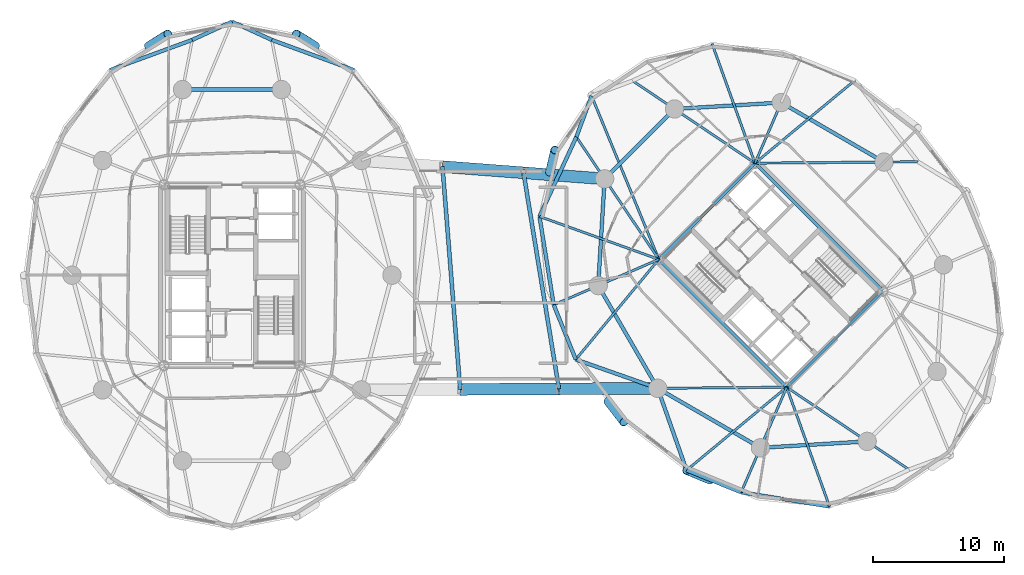
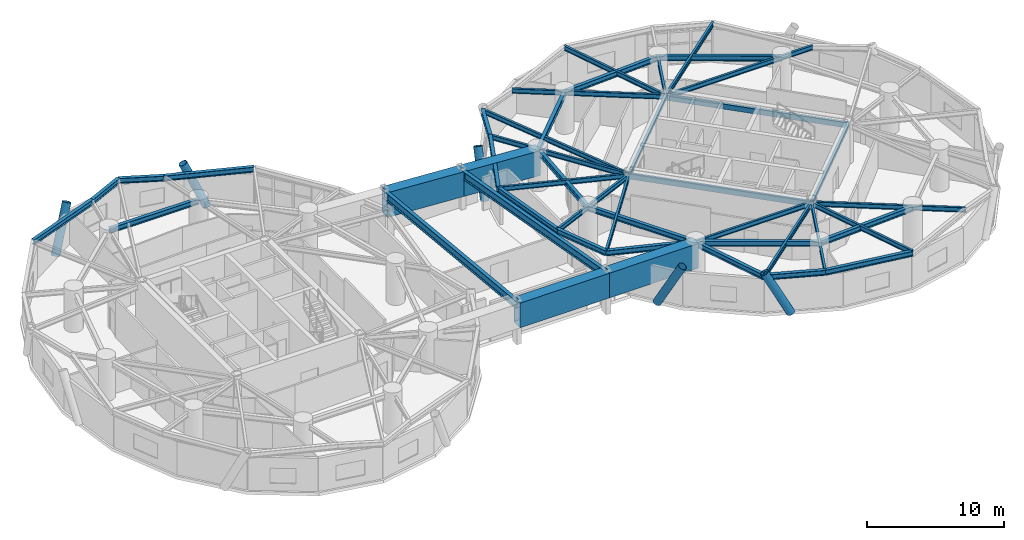
# One storey, part 4 of 17: 45 beams, 5 members.
"""IFC4 building model written with IfcOpenShell, lengths in metres."""

from ifc_helpers import new_model, si_unit, direction, frame, origin, origin_2d, place, context, subcontext, project, spatial, hollow_rectangle, hollow_circle, i_section, extrude, material, material_profile, profile_set, type_object, element, save


model = new_model("IFC4")

# Units and contexts
model_context = context("Model", 3, precision=1e-05, world=origin(), true_north=direction((0.0, 1.0)))
body_context = subcontext(model_context, "Body", "Model", "MODEL_VIEW")
ifc_project = project(units=[si_unit("LENGTHUNIT", "METRE"), si_unit("AREAUNIT", "SQUARE_METRE"), si_unit("VOLUMEUNIT", "CUBIC_METRE"), si_unit("PLANEANGLEUNIT", "RADIAN"), si_unit("MASSUNIT", "GRAM", prefix="KILO")], contexts=[model_context])

# Site, building, storey
site_placement = place(None, origin())
site = spatial("IfcSite", under=ifc_project, at=site_placement, CompositionType="ELEMENT")
building_placement = place(site_placement, origin())
building = spatial("IfcBuilding", under=site, at=building_placement, Name="Cununo Teusaquillo Station Towers", CompositionType="ELEMENT")
storey_placement = place(building_placement, frame((0.0, 0.0, 125.43994140625)))
storey = spatial("IfcBuildingStorey", under=building, at=storey_placement, Name="L40", CompositionType="ELEMENT", Elevation=125.43994140625)

# Beams
ifc_material_1 = material(Name="Steel EN 10025-2 S355J2", Category="steel")
ifc_material_profile_1 = material_profile(ifc_material_1, i_section(OverallWidth=0.300048828125, OverallDepth=0.699951171875, WebThickness=0.01708984375, FlangeThickness=0.031982421875, FilletRadius=0.027099609375, at=origin_2d()), Name="HEB 700")
ifc_profile_set_1 = profile_set([ifc_material_profile_1], Name="Steel EN 10025-2 S355J2")
beam_type_1 = type_object("IfcBeamType", Name="BM-BRG-FLR", PredefinedType="BEAM", material=ifc_profile_set_1)
beam_1_placement = place(storey_placement, frame((33.862548828125, 15.81201171875, 3.090087890625), z_axis=(-0.079188777853, 0.996859637794, 0.0), x_axis=(-0.996859637794, -0.079188777853, 0.0)))
element("IfcBeam", 1, at=beam_1_placement, inside=storey, type_object=beam_type_1, Name="L40 Mid-Bridge Transverse Floor Girder 1", PredefinedType="BEAM", context=body_context, shape_type="SweptSolid", body=[
    extrude(i_section(OverallWidth=0.300048828125, OverallDepth=0.699951171875, WebThickness=0.01708984375, FlangeThickness=0.031982421875, FilletRadius=0.027099609375, at=origin_2d()), origin(), (0.0, 0.0, 1.0), 17.0029296875),
])
beam_2_placement = place(storey_placement, frame((41.377685546875, 15.8525390625, 3.090087890625), z_axis=(-0.161629984279, 0.986851431666, 0.0), x_axis=(-0.986851431666, -0.161629984279, 0.0)))
element("IfcBeam", 2, at=beam_2_placement, inside=storey, type_object=beam_type_1, Name="L40 Mid-Bridge Transverse Floor Girder 2", PredefinedType="BEAM", context=body_context, shape_type="SweptSolid", body=[
    extrude(i_section(OverallWidth=0.300048828125, OverallDepth=0.699951171875, WebThickness=0.01708984375, FlangeThickness=0.031982421875, FilletRadius=0.027099609375, at=origin_2d()), origin(), (0.0, 0.0, 1.0), 16.66064453125),
])
ifc_material_2 = material(Name="Steel EN 10025-2 S355J2", Category="steel")
ifc_material_profile_2 = material_profile(ifc_material_2, hollow_rectangle(XDim=0.25, YDim=0.449951171875, WallThickness=0.01611328125, at=origin_2d()), Name="RHS 450x250x16")
ifc_profile_set_2 = profile_set([ifc_material_profile_2], Name="Steel EN 10025-2 S355J2")
beam_type_2 = type_object("IfcBeamType", Name="BM-COUP-1", PredefinedType="USERDEFINED", material=ifc_profile_set_2)
for number, where, z_axis, x_axis, name in (
    (3, (58.70556640625, 15.975830078125, 3.215087890625), (-0.707106781187, 0.707106781187, 0.0), (-0.707106781187, -0.707106781187, 0.0), "L40 Tower B Core Beam 1"),
    (4, (66.024169921875, 23.29443359375, 3.215087890625), (-0.707106781187, 0.707106781187, 0.0), (-0.707106781187, -0.707106781187, 0.0), "L40 Tower B Core Beam 2"),
):
    element("IfcBeam", number, at=place(storey_placement, frame(where, z_axis=z_axis, x_axis=x_axis)), inside=storey, type_object=beam_type_2, Name=name, ObjectType="COUPLING BEAM", PredefinedType="USERDEFINED", context=body_context, shape_type="SweptSolid", body=[
        extrude(hollow_rectangle(XDim=0.25, YDim=0.449951171875, WallThickness=0.01611328125, at=origin_2d()), origin(), (0.0, 0.0, 1.0), 13.760009765625),
    ])
ifc_material_3 = material(Name="Steel ASTM A572 Grade 50", Category="steel")
ifc_material_profile_3 = material_profile(ifc_material_3, i_section(OverallWidth=0.180908203125, OverallDepth=0.4169921875, WebThickness=0.010986328125, FlangeThickness=0.018310546875, FilletRadius=0.012939453125, at=origin_2d()), Name="W16X57")
ifc_profile_set_3 = profile_set([ifc_material_profile_3], Name="Steel ASTM A572 Grade 50")
beam_type_3 = type_object("IfcBeamType", Name="BM-JOIST-1", PredefinedType="JOIST", material=ifc_profile_set_3)
beam_3_placement = place(storey_placement, frame((56.29443359375, 33.024169921875, 3.2314453125), z_axis=(0.769727799615, 0.638372238196, 0.0), x_axis=(-0.638372238196, 0.769727799615, 0.0)))
element("IfcBeam", 5, at=beam_3_placement, inside=storey, type_object=beam_type_3, Name="L40 Tower B Radial Spandrel Joist V01", PredefinedType="JOIST", context=body_context, shape_type="SweptSolid", body=[
    extrude(i_section(OverallWidth=0.180908203125, OverallDepth=0.4169921875, WebThickness=0.010986328125, FlangeThickness=0.018310546875, FilletRadius=0.012939453125, at=origin_2d()), origin(), (0.0, 0.0, 1.0), 9.895263671875),
])
beam_4_placement = place(storey_placement, frame((56.29443359375, 33.024169921875, 3.2314453125), z_axis=(-0.338176312038, 0.941082771055, 0.0), x_axis=(-0.941082771055, -0.338176312038, 0.0)))
element("IfcBeam", 6, at=beam_4_placement, inside=storey, type_object=beam_type_3, Name="L40 Tower B Radial Spandrel Joist V03", PredefinedType="JOIST", context=body_context, shape_type="SweptSolid", body=[
    extrude(i_section(OverallWidth=0.180908203125, OverallDepth=0.4169921875, WebThickness=0.010986328125, FlangeThickness=0.018310546875, FilletRadius=0.012939453125, at=origin_2d()), origin(), (0.0, 0.0, 1.0), 9.646484375),
])
beam_5_placement = place(storey_placement, frame((48.975830078125, 25.70556640625, 3.2314453125), z_axis=(-0.380485864505, 0.924786735908, 0.0), x_axis=(-0.924786735908, -0.380485864505, 0.0)))
element("IfcBeam", 7, at=beam_5_placement, inside=storey, type_object=beam_type_3, Name="L40 Tower B Radial Spandrel Joist V05", PredefinedType="JOIST", context=body_context, shape_type="SweptSolid", body=[
    extrude(i_section(OverallWidth=0.180908203125, OverallDepth=0.4169921875, WebThickness=0.010986328125, FlangeThickness=0.018310546875, FilletRadius=0.012939453125, at=origin_2d()), origin(), (0.0, 0.0, 1.0), 13.44580078125),
])
beam_6_placement = place(storey_placement, frame((48.975830078125, 25.70556640625, 3.2314453125), z_axis=(-0.941082771055, 0.338176312038, 0.0), x_axis=(-0.338176312038, -0.941082771055, 0.0)))
element("IfcBeam", 8, at=beam_6_placement, inside=storey, type_object=beam_type_3, Name="L40 Tower B Radial Spandrel Joist V07", PredefinedType="JOIST", context=body_context, shape_type="SweptSolid", body=[
    extrude(i_section(OverallWidth=0.180908203125, OverallDepth=0.4169921875, WebThickness=0.010986328125, FlangeThickness=0.018310546875, FilletRadius=0.012939453125, at=origin_2d()), origin(), (0.0, 0.0, 1.0), 9.646484375),
])
for number, where, z_axis, x_axis, name in (
    (9, (48.975830078125, 25.70556640625, 3.2314453125), (-0.638372238196, -0.769727799615, 0.0), (0.769727799615, -0.638372238196, 0.0), "L40 Tower B Radial Spandrel Joist V09"),
    (10, (58.70556640625, 15.975830078125, 3.2314453125), (-0.769727799615, -0.638372238196, 0.0), (0.638372238196, -0.769727799615, 0.0), "L40 Tower B Radial Spandrel Joist V11"),
):
    element("IfcBeam", number, at=place(storey_placement, frame(where, z_axis=z_axis, x_axis=x_axis)), inside=storey, type_object=beam_type_3, Name=name, PredefinedType="JOIST", context=body_context, shape_type="SweptSolid", body=[
        extrude(i_section(OverallWidth=0.180908203125, OverallDepth=0.4169921875, WebThickness=0.010986328125, FlangeThickness=0.018310546875, FilletRadius=0.012939453125, at=origin_2d()), origin(), (0.0, 0.0, 1.0), 9.895263671875),
    ])
beam_7_placement = place(storey_placement, frame((58.70556640625, 15.975830078125, 3.2314453125), z_axis=(0.338176312038, -0.941082771055, 0.0), x_axis=(0.941082771055, 0.338176312038, 0.0)))
element("IfcBeam", 11, at=beam_7_placement, inside=storey, type_object=beam_type_3, Name="L40 Tower B Radial Spandrel Joist V13", PredefinedType="JOIST", context=body_context, shape_type="SweptSolid", body=[
    extrude(i_section(OverallWidth=0.180908203125, OverallDepth=0.4169921875, WebThickness=0.010986328125, FlangeThickness=0.018310546875, FilletRadius=0.012939453125, at=origin_2d()), origin(), (0.0, 0.0, 1.0), 9.646484375),
])
ifc_material_4 = material(Name="Steel ASTM A572 Grade 50", Category="steel")
ifc_material_profile_4 = material_profile(ifc_material_4, i_section(OverallWidth=0.2041015625, OverallDepth=0.35009765625, WebThickness=0.008544921875, FlangeThickness=0.01513671875, FilletRadius=0.011962890625, at=origin_2d()), Name="W14X48")
ifc_profile_set_4 = profile_set([ifc_material_profile_4], Name="Steel ASTM A572 Grade 50")
beam_type_4 = type_object("IfcBeamType", Name="BM-LINTEL-1", PredefinedType="LINTEL", material=ifc_profile_set_4)
for number, where, z_axis, x_axis, name in (
    (12, (58.70556640625, 15.975830078125, 3.26513671875), (0.707106781187, 0.707106781187, 0.0), (-0.707106781187, 0.707106781187, 0.0), "L40 Tower B Core Beam 3"),
    (13, (48.975830078125, 25.70556640625, 3.26513671875), (0.707106781187, 0.707106781187, 0.0), (-0.707106781187, 0.707106781187, 0.0), "L40 Tower B Core Beam 4"),
):
    element("IfcBeam", number, at=place(storey_placement, frame(where, z_axis=z_axis, x_axis=x_axis)), inside=storey, type_object=beam_type_4, Name=name, PredefinedType="LINTEL", context=body_context, shape_type="SweptSolid", body=[
        extrude(i_section(OverallWidth=0.2041015625, OverallDepth=0.35009765625, WebThickness=0.008544921875, FlangeThickness=0.01513671875, FilletRadius=0.011962890625, at=origin_2d()), origin(), (0.0, 0.0, 1.0), 10.35009765625),
    ])
ifc_material_5 = material(Name="Steel ASTM A572 Grade 50", Category="steel")
ifc_material_profile_5 = material_profile(ifc_material_5, i_section(OverallWidth=0.180908203125, OverallDepth=0.4169921875, WebThickness=0.010986328125, FlangeThickness=0.018310546875, FilletRadius=0.012939453125, at=origin_2d()), Name="W16X57")
ifc_profile_set_5 = profile_set([ifc_material_profile_5], Name="Steel ASTM A572 Grade 50")
beam_type_5 = type_object("IfcBeamType", Name="BM-RAD-G2", PredefinedType="BEAM", material=ifc_profile_set_5)
beam_8_placement = place(storey_placement, frame((56.29443359375, 33.024169921875, 3.2314453125), z_axis=(0.999964331255, 0.008446077024, 0.0), x_axis=(-0.008446077024, 0.999964331255, 0.0)))
element("IfcBeam", 14, at=beam_8_placement, inside=storey, type_object=beam_type_5, Name="L40 Tower B Continuous Overhanging Radial Girder 01", PredefinedType="BEAM", context=body_context, shape_type="SweptSolid", body=[
    extrude(i_section(OverallWidth=0.180908203125, OverallDepth=0.4169921875, WebThickness=0.010986328125, FlangeThickness=0.018310546875, FilletRadius=0.012939453125, at=origin_2d()), origin(), (0.0, 0.0, 1.0), 12.400634765625),
])
beam_9_placement = place(storey_placement, frame((56.29443359375, 33.024169921875, 3.2314453125), z_axis=(0.397346986387, 0.917668443616, 0.0), x_axis=(-0.917668443616, 0.397346986387, 0.0)))
element("IfcBeam", 15, at=beam_9_placement, inside=storey, type_object=beam_type_5, Name="L40 Tower B Radial Girder 02A", PredefinedType="BEAM", context=body_context, shape_type="SweptSolid", body=[
    extrude(i_section(OverallWidth=0.180908203125, OverallDepth=0.4169921875, WebThickness=0.010986328125, FlangeThickness=0.018310546875, FilletRadius=0.012939453125, at=origin_2d()), origin(), (0.0, 0.0, 1.0), 5.02490234375),
])
for number, where, z_axis, x_axis, name in (
    (16, (56.29443359375, 33.024169921875, 3.2314453125), (-0.82945583878, 0.558572297481, 0.0), (-0.558572297481, -0.82945583878, 0.0), "L40 Tower B Continuous Overhanging Radial Girder 03"),
    (17, (48.975830078125, 25.70556640625, 3.2314453125), (-0.558572297481, 0.82945583878, 0.0), (-0.82945583878, -0.558572297481, 0.0), "L40 Tower B Continuous Overhanging Radial Girder 04"),
):
    element("IfcBeam", number, at=place(storey_placement, frame(where, z_axis=z_axis, x_axis=x_axis)), inside=storey, type_object=beam_type_5, Name=name, PredefinedType="BEAM", context=body_context, shape_type="SweptSolid", body=[
        extrude(i_section(OverallWidth=0.180908203125, OverallDepth=0.4169921875, WebThickness=0.010986328125, FlangeThickness=0.018310546875, FilletRadius=0.012939453125, at=origin_2d()), origin(), (0.0, 0.0, 1.0), 11.22998046875),
    ])
beam_10_placement = place(storey_placement, frame((48.975830078125, 25.70556640625, 3.2314453125), z_axis=(-0.917654733344, -0.397378648609, 0.0), x_axis=(0.397378648609, -0.917654733344, 0.0)))
element("IfcBeam", 18, at=beam_10_placement, inside=storey, type_object=beam_type_5, Name="L40 Tower B Continuous Overhanging Radial Girder 05", PredefinedType="BEAM", context=body_context, shape_type="SweptSolid", body=[
    extrude(i_section(OverallWidth=0.180908203125, OverallDepth=0.4169921875, WebThickness=0.010986328125, FlangeThickness=0.018310546875, FilletRadius=0.012939453125, at=origin_2d()), origin(), (0.0, 0.0, 1.0), 8.71484375),
])
beam_11_placement = place(storey_placement, frame((58.70556640625, 15.975830078125, 3.2314453125), z_axis=(-0.999964431382, -0.008434214327, 0.0), x_axis=(0.008434214327, -0.999964431382, 0.0)))
element("IfcBeam", 19, at=beam_11_placement, inside=storey, type_object=beam_type_5, Name="L40 Tower B Radial Girder 06A", PredefinedType="BEAM", context=body_context, shape_type="SweptSolid", body=[
    extrude(i_section(OverallWidth=0.180908203125, OverallDepth=0.4169921875, WebThickness=0.010986328125, FlangeThickness=0.018310546875, FilletRadius=0.012939453125, at=origin_2d()), origin(), (0.0, 0.0, 1.0), 9.812744140625),
])
beam_12_placement = place(storey_placement, frame((58.70556640625, 15.975830078125, 3.2314453125), z_axis=(-0.397378648609, -0.917654733344, 0.0), x_axis=(0.917654733344, -0.397378648609, 0.0)))
element("IfcBeam", 20, at=beam_12_placement, inside=storey, type_object=beam_type_5, Name="L40 Tower B Continuous Overhanging Radial Girder 07", PredefinedType="BEAM", context=body_context, shape_type="SweptSolid", body=[
    extrude(i_section(OverallWidth=0.180908203125, OverallDepth=0.4169921875, WebThickness=0.010986328125, FlangeThickness=0.018310546875, FilletRadius=0.012939453125, at=origin_2d()), origin(), (0.0, 0.0, 1.0), 8.71484375),
])
beam_13_placement = place(storey_placement, frame((58.70556640625, 15.975830078125, 3.2314453125), z_axis=(0.82945583878, -0.558572297481, 0.0), x_axis=(0.558572297481, 0.82945583878, 0.0)))
element("IfcBeam", 21, at=beam_13_placement, inside=storey, type_object=beam_type_5, Name="L40 Tower B Continuous Overhanging Radial Girder 08", PredefinedType="BEAM", context=body_context, shape_type="SweptSolid", body=[
    extrude(i_section(OverallWidth=0.180908203125, OverallDepth=0.4169921875, WebThickness=0.010986328125, FlangeThickness=0.018310546875, FilletRadius=0.012939453125, at=origin_2d()), origin(), (0.0, 0.0, 1.0), 11.22998046875),
])
ifc_material_6 = material(Name="Steel ASTM A572 Grade 50", Category="steel")
ifc_material_profile_6 = material_profile(ifc_material_6, i_section(OverallWidth=0.280029296875, OverallDepth=0.462890625, WebThickness=0.0107421875, FlangeThickness=0.017333984375, FilletRadius=0.013916015625, at=origin_2d()), Name="W18X76")
ifc_profile_set_6 = profile_set([ifc_material_profile_6], Name="Steel ASTM A572 Grade 50")
beam_type_6 = type_object("IfcBeamType", Name="BM-RING-Z2", PredefinedType="SPANDREL", material=ifc_profile_set_6)
beam_14_placement = place(storey_placement, frame((20.261474609375, 38.623291015625, 3.20849609375), z_axis=(-1.0, 0.0, 0.0), x_axis=(0.0, -1.0, 0.0)))
element("IfcBeam", 22, at=beam_14_placement, inside=storey, type_object=beam_type_6, Name="L40 Tower A Structural Column Ring Girder 03", PredefinedType="SPANDREL", context=body_context, shape_type="SweptSolid", body=[
    extrude(i_section(OverallWidth=0.280029296875, OverallDepth=0.462890625, WebThickness=0.0107421875, FlangeThickness=0.017333984375, FilletRadius=0.013916015625, at=origin_2d()), origin(), (0.0, 0.0, 1.0), 7.52294921875),
])
beam_15_placement = place(storey_placement, frame((25.78759765625, 40.10595703125, 3.20849609375), z_axis=(-0.938914161016, 0.34415141761, 0.0), x_axis=(-0.34415141761, -0.938914161016, 0.0)))
element("IfcBeam", 23, at=beam_15_placement, inside=storey, type_object=beam_type_6, Name="L40 Tower A Spandrel Ring Beam 04", PredefinedType="SPANDREL", context=body_context, shape_type="SweptSolid", body=[
    extrude(i_section(OverallWidth=0.280029296875, OverallDepth=0.462890625, WebThickness=0.0107421875, FlangeThickness=0.017333984375, FilletRadius=0.013916015625, at=origin_2d()), origin(), (0.0, 0.0, 1.0), 6.671142578125),
])
for number, where, z_axis, x_axis, name in (
    (24, (19.52392578125, 42.40185546875, 3.20849609375), (-0.908812215281, 0.417205413862, 0.0), (-0.417205413862, -0.908812215281, 0.0), "L40 Tower A Spandrel Ring Beam 05"),
    (25, (16.5, 43.7900390625, 3.20849609375), (-0.908812215281, -0.417205413862, 0.0), (0.417205413862, -0.908812215281, 0.0), "L40 Tower A Spandrel Ring Beam 06"),
):
    element("IfcBeam", number, at=place(storey_placement, frame(where, z_axis=z_axis, x_axis=x_axis)), inside=storey, type_object=beam_type_6, Name=name, PredefinedType="SPANDREL", context=body_context, shape_type="SweptSolid", body=[
        extrude(i_section(OverallWidth=0.280029296875, OverallDepth=0.462890625, WebThickness=0.0107421875, FlangeThickness=0.017333984375, FilletRadius=0.013916015625, at=origin_2d()), origin(), (0.0, 0.0, 1.0), 3.327392578125),
    ])
beam_16_placement = place(storey_placement, frame((13.47607421875, 42.40185546875, 3.20849609375), z_axis=(-0.938914161016, -0.34415141761, 0.0), x_axis=(0.34415141761, -0.938914161016, 0.0)))
element("IfcBeam", 26, at=beam_16_placement, inside=storey, type_object=beam_type_6, Name="L40 Tower A Spandrel Ring Beam 07", PredefinedType="SPANDREL", context=body_context, shape_type="SweptSolid", body=[
    extrude(i_section(OverallWidth=0.280029296875, OverallDepth=0.462890625, WebThickness=0.0107421875, FlangeThickness=0.017333984375, FilletRadius=0.013916015625, at=origin_2d()), origin(), (0.0, 0.0, 1.0), 6.671142578125),
])
beam_17_placement = place(storey_placement, frame((66.10693359375, 33.10693359375, 3.20849609375), z_axis=(-0.865267103202, 0.501311121078, 0.0), x_axis=(-0.501311121078, -0.865267103202, 0.0)))
element("IfcBeam", 27, at=beam_17_placement, inside=storey, type_object=beam_type_6, Name="L40 Tower B Structural Column Ring Girder 01", PredefinedType="SPANDREL", context=body_context, shape_type="SweptSolid", body=[
    extrude(i_section(OverallWidth=0.280029296875, OverallDepth=0.462890625, WebThickness=0.0107421875, FlangeThickness=0.017333984375, FilletRadius=0.013916015625, at=origin_2d()), origin(), (0.0, 0.0, 1.0), 9.032958984375),
])
beam_18_placement = place(storey_placement, frame((58.291015625, 37.63525390625, 3.20849609375), z_axis=(-0.998190567048, -0.06012979176, 0.0), x_axis=(0.06012979176, -0.998190567048, 0.0)))
element("IfcBeam", 28, at=beam_18_placement, inside=storey, type_object=beam_type_6, Name="L40 Tower B Structural Column Ring Girder 02", PredefinedType="SPANDREL", context=body_context, shape_type="SweptSolid", body=[
    extrude(i_section(OverallWidth=0.280029296875, OverallDepth=0.462890625, WebThickness=0.0107421875, FlangeThickness=0.017333984375, FilletRadius=0.013916015625, at=origin_2d()), origin(), (0.0, 0.0, 1.0), 8.132568359375),
])
beam_19_placement = place(storey_placement, frame((50.173095703125, 37.146240234375, 3.20849609375), z_axis=(-0.707106781187, -0.707106781187, 0.0), x_axis=(0.707106781187, -0.707106781187, 0.0)))
element("IfcBeam", 29, at=beam_19_placement, inside=storey, type_object=beam_type_6, Name="L40 Tower B Structural Column Ring Girder 03", PredefinedType="SPANDREL", context=body_context, shape_type="SweptSolid", body=[
    extrude(i_section(OverallWidth=0.280029296875, OverallDepth=0.462890625, WebThickness=0.0107421875, FlangeThickness=0.017333984375, FilletRadius=0.013916015625, at=origin_2d()), origin(), (0.0, 0.0, 1.0), 7.522705078125),
])
beam_20_placement = place(storey_placement, frame((44.853759765625, 31.826904296875, 3.20849609375), z_axis=(-0.06012979176, -0.998190567048, 0.0), x_axis=(0.998190567048, -0.06012979176, 0.0)))
element("IfcBeam", 30, at=beam_20_placement, inside=storey, type_object=beam_type_6, Name="L40 Tower B Structural Column Ring Girder 04", PredefinedType="SPANDREL", context=body_context, shape_type="SweptSolid", body=[
    extrude(i_section(OverallWidth=0.280029296875, OverallDepth=0.462890625, WebThickness=0.0107421875, FlangeThickness=0.017333984375, FilletRadius=0.013916015625, at=origin_2d()), origin(), (0.0, 0.0, 1.0), 8.132568359375),
])
for number, where, z_axis, x_axis, name in (
    (31, (44.36474609375, 23.708984375, 3.20849609375), (0.501311121078, -0.865267103202, 0.0), (0.865267103202, 0.501311121078, 0.0), "L40 Tower B Structural Column Ring Girder 05"),
    (32, (48.89306640625, 15.89306640625, 3.20849609375), (0.865267103202, -0.501311121078, 0.0), (0.501311121078, 0.865267103202, 0.0), "L40 Tower B Structural Column Ring Girder 06"),
):
    element("IfcBeam", number, at=place(storey_placement, frame(where, z_axis=z_axis, x_axis=x_axis)), inside=storey, type_object=beam_type_6, Name=name, PredefinedType="SPANDREL", context=body_context, shape_type="SweptSolid", body=[
        extrude(i_section(OverallWidth=0.280029296875, OverallDepth=0.462890625, WebThickness=0.0107421875, FlangeThickness=0.017333984375, FilletRadius=0.013916015625, at=origin_2d()), origin(), (0.0, 0.0, 1.0), 9.032958984375),
    ])
beam_21_placement = place(storey_placement, frame((56.708984375, 11.36474609375, 3.20849609375), z_axis=(0.998190567048, 0.06012979176, 0.0), x_axis=(-0.06012979176, 0.998190567048, 0.0)))
element("IfcBeam", 33, at=beam_21_placement, inside=storey, type_object=beam_type_6, Name="L40 Tower B Structural Column Ring Girder 07", PredefinedType="SPANDREL", context=body_context, shape_type="SweptSolid", body=[
    extrude(i_section(OverallWidth=0.280029296875, OverallDepth=0.462890625, WebThickness=0.0107421875, FlangeThickness=0.017333984375, FilletRadius=0.013916015625, at=origin_2d()), origin(), (0.0, 0.0, 1.0), 8.132568359375),
])
beam_22_placement = place(storey_placement, frame((43.85986328125, 38.14013671875, 3.20849609375), z_axis=(-0.347639333943, -0.937628334414, 0.0), x_axis=(0.937628334414, -0.347639333943, 0.0)))
element("IfcBeam", 34, at=beam_22_placement, inside=storey, type_object=beam_type_6, Name="L40 Tower B Spandrel Ring Beam 06", PredefinedType="SPANDREL", context=body_context, shape_type="SweptSolid", body=[
    extrude(i_section(OverallWidth=0.280029296875, OverallDepth=0.462890625, WebThickness=0.0107421875, FlangeThickness=0.017333984375, FilletRadius=0.013916015625, at=origin_2d()), origin(), (0.0, 0.0, 1.0), 3.327392578125),
])
beam_23_placement = place(storey_placement, frame((42.703125, 35.020263671875, 3.20849609375), z_axis=(-0.420535961689, -0.907275870354, 0.0), x_axis=(0.907275870354, -0.420535961689, 0.0)))
element("IfcBeam", 35, at=beam_23_placement, inside=storey, type_object=beam_type_6, Name="L40 Tower B Spandrel Ring Beam 07", PredefinedType="SPANDREL", context=body_context, shape_type="SweptSolid", body=[
    extrude(i_section(OverallWidth=0.280029296875, OverallDepth=0.462890625, WebThickness=0.0107421875, FlangeThickness=0.017333984375, FilletRadius=0.013916015625, at=origin_2d()), origin(), (0.0, 0.0, 1.0), 6.671142578125),
])
beam_24_placement = place(storey_placement, frame((39.897705078125, 28.9677734375, 3.20849609375), z_axis=(0.158671232312, -0.987331474246, 0.0), x_axis=(0.987331474246, 0.158671232312, 0.0)))
element("IfcBeam", 36, at=beam_24_placement, inside=storey, type_object=beam_type_6, Name="L40 Tower B Spandrel Ring Beam 08", PredefinedType="SPANDREL", context=body_context, shape_type="SweptSolid", body=[
    extrude(i_section(OverallWidth=0.280029296875, OverallDepth=0.462890625, WebThickness=0.0107421875, FlangeThickness=0.017333984375, FilletRadius=0.013916015625, at=origin_2d()), origin(), (0.0, 0.0, 1.0), 6.8115234375),
])
beam_25_placement = place(storey_placement, frame((40.978515625, 22.242431640625, 3.20849609375), z_axis=(0.375042266631, -0.927007712072, 0.0), x_axis=(0.927007712072, 0.375042266631, 0.0)))
element("IfcBeam", 37, at=beam_25_placement, inside=storey, type_object=beam_type_6, Name="L40 Tower B Spandrel Ring Beam 09", PredefinedType="SPANDREL", context=body_context, shape_type="SweptSolid", body=[
    extrude(i_section(OverallWidth=0.280029296875, OverallDepth=0.462890625, WebThickness=0.0107421875, FlangeThickness=0.017333984375, FilletRadius=0.013916015625, at=origin_2d()), origin(), (0.0, 0.0, 1.0), 4.480712890625),
])
for number, where, z_axis, x_axis, name in (
    (38, (42.658935546875, 18.0888671875, 3.20849609375), (0.943202901767, -0.332217227276, 0.0), (0.332217227276, 0.943202901767, 0.0), "L40 Tower B Spandrel Ring Beam 10"),
    (39, (48.89306640625, 15.89306640625, 3.20849609375), (0.332217227276, -0.943202901767, 0.0), (0.943202901767, 0.332217227276, 0.0), "L40 Tower B Spandrel Ring Beam 11"),
):
    element("IfcBeam", number, at=place(storey_placement, frame(where, z_axis=z_axis, x_axis=x_axis)), inside=storey, type_object=beam_type_6, Name=name, PredefinedType="SPANDREL", context=body_context, shape_type="SweptSolid", body=[
        extrude(i_section(OverallWidth=0.280029296875, OverallDepth=0.462890625, WebThickness=0.0107421875, FlangeThickness=0.017333984375, FilletRadius=0.013916015625, at=origin_2d()), origin(), (0.0, 0.0, 1.0), 6.609619140625),
    ])
beam_26_placement = place(storey_placement, frame((51.0888671875, 9.658935546875, 3.20849609375), z_axis=(0.927007712072, -0.375042266631, 0.0), x_axis=(0.375042266631, 0.927007712072, 0.0)))
element("IfcBeam", 40, at=beam_26_placement, inside=storey, type_object=beam_type_6, Name="L40 Tower B Spandrel Ring Beam 12", PredefinedType="SPANDREL", context=body_context, shape_type="SweptSolid", body=[
    extrude(i_section(OverallWidth=0.280029296875, OverallDepth=0.462890625, WebThickness=0.0107421875, FlangeThickness=0.017333984375, FilletRadius=0.013916015625, at=origin_2d()), origin(), (0.0, 0.0, 1.0), 4.480712890625),
])
beam_27_placement = place(storey_placement, frame((55.242431640625, 7.978515625, 3.20849609375), z_axis=(0.987331474246, -0.158671232312, 0.0), x_axis=(0.158671232312, 0.987331474246, 0.0)))
element("IfcBeam", 41, at=beam_27_placement, inside=storey, type_object=beam_type_6, Name="L40 Tower B Spandrel Ring Beam 13", PredefinedType="SPANDREL", context=body_context, shape_type="SweptSolid", body=[
    extrude(i_section(OverallWidth=0.280029296875, OverallDepth=0.462890625, WebThickness=0.0107421875, FlangeThickness=0.017333984375, FilletRadius=0.013916015625, at=origin_2d()), origin(), (0.0, 0.0, 1.0), 6.8115234375),
])
ifc_material_7 = material(Name="Steel ASTM A572 Grade 50", Category="steel")
ifc_material_profile_7 = material_profile(ifc_material_7, hollow_rectangle(XDim=0.89990234375, YDim=2.199951171875, WallThickness=0.050048828125, at=origin_2d()), Name="BOX 2200x900x50")
ifc_profile_set_7 = profile_set([ifc_material_profile_7], Name="Steel ASTM A572 Grade 50")
beam_type_7 = type_object("IfcBeamType", Name="BM-XFER-BRG", PredefinedType="USERDEFINED", material=ifc_profile_set_7)
beam_28_placement = place(storey_placement, frame((33.862548828125, 15.81201171875, 2.340087890625), z_axis=(0.999985459376, 0.00539268359, 0.0), x_axis=(-0.00539268359, 0.999985459376, 0.0)))
element("IfcBeam", 42, at=beam_28_placement, inside=storey, type_object=beam_type_7, Name="L40 Mid-Bridge Chord S2", ObjectType="TRANSFER GIRDER", PredefinedType="USERDEFINED", context=body_context, shape_type="SweptSolid", body=[
    extrude(hollow_rectangle(XDim=0.89990234375, YDim=2.199951171875, WallThickness=0.050048828125, at=origin_2d()), origin(), (0.0, 0.0, 1.0), 7.51513671875),
])
beam_29_placement = place(storey_placement, frame((41.377685546875, 15.8525390625, 2.340087890625), z_axis=(0.999985460321, 0.005392508411, 0.0), x_axis=(-0.005392508411, 0.999985460321, 0.0)))
element("IfcBeam", 43, at=beam_29_placement, inside=storey, type_object=beam_type_7, Name="L40 Mid-Bridge Chord S3", ObjectType="TRANSFER GIRDER", PredefinedType="USERDEFINED", context=body_context, shape_type="SweptSolid", body=[
    extrude(hollow_rectangle(XDim=0.89990234375, YDim=2.199951171875, WallThickness=0.050048828125, at=origin_2d()), origin(), (0.0, 0.0, 1.0), 7.515380859375),
])
beam_30_placement = place(storey_placement, frame((32.51611328125, 32.761474609375, 2.340087890625), z_axis=(0.997143183449, -0.075534572886, 0.0), x_axis=(0.075534572886, 0.997143183449, 0.0)))
element("IfcBeam", 44, at=beam_30_placement, inside=storey, type_object=beam_type_7, Name="L40 Mid-Bridge Chord N2", ObjectType="TRANSFER GIRDER", PredefinedType="USERDEFINED", context=body_context, shape_type="SweptSolid", body=[
    extrude(hollow_rectangle(XDim=0.89990234375, YDim=2.199951171875, WallThickness=0.050048828125, at=origin_2d()), origin(), (0.0, 0.0, 1.0), 6.186279296875),
])
beam_31_placement = place(storey_placement, frame((38.684814453125, 32.294189453125, 2.340087890625), z_axis=(0.997143408598, -0.075531600604, 0.0), x_axis=(0.075531600604, 0.997143408598, 0.0)))
element("IfcBeam", 45, at=beam_31_placement, inside=storey, type_object=beam_type_7, Name="L40 Mid-Bridge Chord N3", ObjectType="TRANSFER GIRDER", PredefinedType="USERDEFINED", context=body_context, shape_type="SweptSolid", body=[
    extrude(hollow_rectangle(XDim=0.89990234375, YDim=2.199951171875, WallThickness=0.050048828125, at=origin_2d()), origin(), (0.0, 0.0, 1.0), 6.1865234375),
])

# Members
ifc_material_8 = material(Name="Steel EN 10025-2 S355J2", Category="steel")
ifc_material_profile_8 = material_profile(ifc_material_8, hollow_circle(Radius=0.330078125, WallThickness=0.02490234375, at=origin_2d()), Name="CHS 660x25")
ifc_profile_set_8 = profile_set([ifc_material_profile_8], Name="Steel EN 10025-2 S355J2")
member_type = type_object("IfcMemberType", Name="MBR-DIAG-Z2", PredefinedType="BRACE", material=ifc_profile_set_8)
for number, where, z_axis, x_axis, name in (
    (46, (22.85107421875, 41.9326171875, -0.139892578125), (-0.35791948, 0.222643294759, 0.906820604715), (-0.528195574716, -0.849122744278, 0.0), "L40 Tower A Folded-Zigzag Diagrid Tube C03"),
    (47, (10.14892578125, 41.9326171875, -0.139892578125), (0.35791948, 0.222643294759, 0.906820604715), (-0.528195574716, 0.849122744278, 0.0), "L40 Tower A Folded-Zigzag Diagrid Tube C06"),
    (48, (40.682373046875, 32.335693359375, -0.139892578125), (0.095639341372, 0.410529045914, 0.90681807373), (-0.973920299704, 0.226890391653, 0.0), "L40 Tower B Folded-Zigzag Diagrid Tube C06"),
):
    element("IfcMember", number, at=place(storey_placement, frame(where, z_axis=z_axis, x_axis=x_axis)), inside=storey, type_object=member_type, Name=name, PredefinedType="BRACE", context=body_context, shape_type="SweptSolid", body=[
        extrude(hollow_circle(Radius=0.330078125, WallThickness=0.02490234375, at=origin_2d()), origin(), (0.0, 0.0, 1.0), 4.102294921875),
    ])
member_1_placement = place(storey_placement, frame((45.104248046875, 14.914306640625, -0.139892578125), z_axis=(0.289367521779, -0.375692417453, 0.88040992998), x_axis=(0.792243348803, 0.610205273886, 0.0)))
element("IfcMember", 49, at=member_1_placement, inside=storey, type_object=member_type, Name="L40 Tower B Folded-Zigzag Diagrid Tube C09", PredefinedType="BRACE", context=body_context, shape_type="SweptSolid", body=[
    extrude(hollow_circle(Radius=0.330078125, WallThickness=0.02490234375, at=origin_2d()), origin(), (0.0, 0.0, 1.0), 4.225341796875),
])
member_2_placement = place(storey_placement, frame((52.885498046875, 8.92041015625, -0.139892578125), z_axis=(-0.428115425103, 0.175981676985, 0.886424070157), x_axis=(-0.380193455452, -0.924906987989, 0.0)))
element("IfcMember", 50, at=member_2_placement, inside=storey, type_object=member_type, Name="L40 Tower B Folded-Zigzag Diagrid Tube C11", PredefinedType="BRACE", context=body_context, shape_type="SweptSolid", body=[
    extrude(hollow_circle(Radius=0.330078125, WallThickness=0.02490234375, at=origin_2d()), origin(), (0.0, 0.0, 1.0), 4.196533203125),
])

save(model, "model.ifc")
